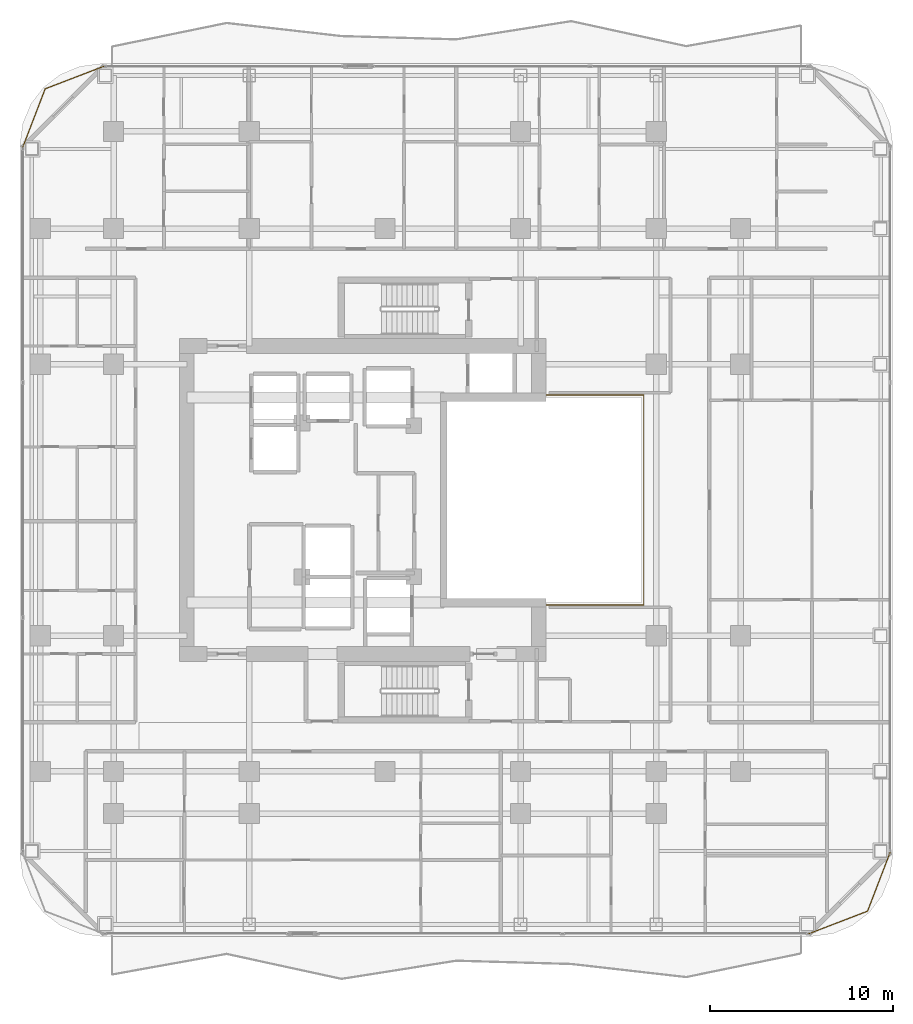
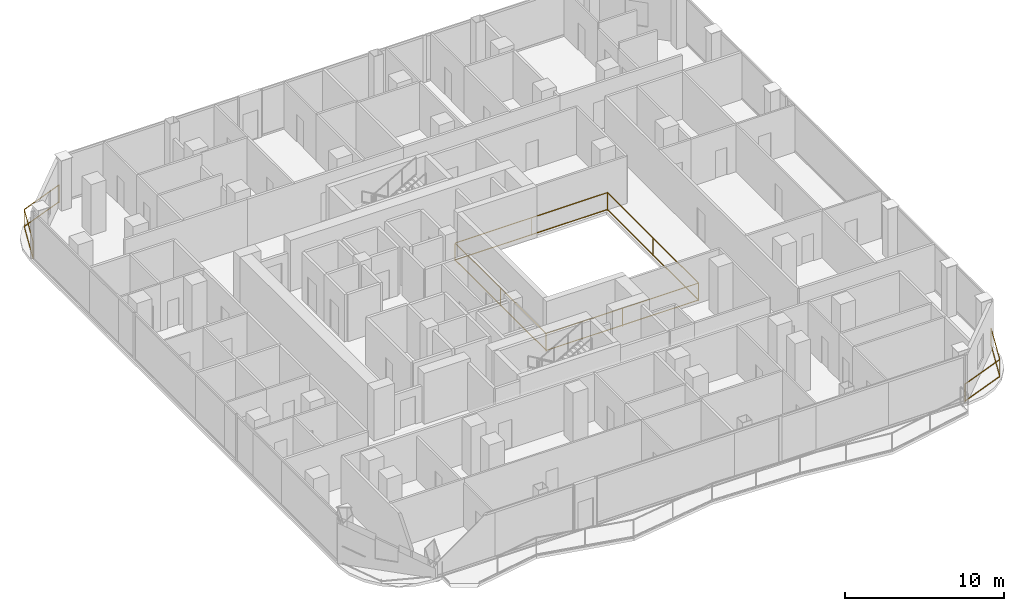
# One storey, part 26 of 27: 3 railings.
"""IFC4 building model written with IfcOpenShell, lengths in metres."""

from ifc_helpers import new_model, si_unit, direction, frame, origin, origin_2d, place, context, subcontext, project, spatial, rectangle, extrude, material, type_object, element, save


model = new_model("IFC4")

# Units and contexts
model_context = context("Model", 3, precision=1e-05, world=origin(), true_north=direction((0.0, 1.0)))
body_context = subcontext(model_context, "Body", "Model", "MODEL_VIEW")
ifc_project = project(units=[si_unit("LENGTHUNIT", "METRE"), si_unit("AREAUNIT", "SQUARE_METRE"), si_unit("VOLUMEUNIT", "CUBIC_METRE"), si_unit("PLANEANGLEUNIT", "RADIAN"), si_unit("MASSUNIT", "GRAM", prefix="KILO")], contexts=[model_context])

# Site, building, storey
site_placement = place(None, origin())
site = spatial("IfcSite", under=ifc_project, at=site_placement, CompositionType="ELEMENT")
building_placement = place(site_placement, origin())
building = spatial("IfcBuilding", under=site, at=building_placement, Name="Khorvyn Point Tower", CompositionType="ELEMENT")
storey_placement = place(building_placement, frame((0.0, 0.0, 164.10009765625)))
storey = spatial("IfcBuildingStorey", under=building, at=storey_placement, Name="L40", CompositionType="ELEMENT", Elevation=164.10009765625)

# Railings
ifc_material_1 = material(Name="Stainless steel 1.4401 and laminated glass", Category="steel")
railing_type_1 = type_object("IfcRailingType", Name="Crystal Atrium Smoke-Rated Perimeter Guardrail 1400", PredefinedType="GUARDRAIL", material=ifc_material_1)
railing_1_placement = place(storey_placement, frame((3.080078125, -5.719970703125, 0.0)))
element("IfcRailing", 1, at=railing_1_placement, inside=storey, type_object=railing_type_1, Name="L40 Crystal Atrium Perimeter Guardrail", PredefinedType="GUARDRAIL", context=body_context, shape_type="SweptSolid", body=[
    extrude(rectangle(XDim=0.048095703125, YDim=0.048095703125, at=origin_2d()), frame((0.0, 0.0, 1.3759765625), z_axis=(1.0, 0.0, 0.0), x_axis=(0.0, 1.0, 0.0)), (0.0, 0.0, 1.0), 11.0400390625),
    extrude(rectangle(XDim=0.048095703125, YDim=0.048095703125, at=origin_2d()), frame((0.0, 0.0, 0.080078125), z_axis=(1.0, 0.0, 0.0), x_axis=(0.0, 1.0, 0.0)), (0.0, 0.0, 1.0), 11.0400390625),
    extrude(rectangle(XDim=0.048095703125, YDim=0.048095703125, at=origin_2d()), frame((11.0400390625, 0.0, 1.3759765625), z_axis=(0.0, 1.0, 0.0), x_axis=(-1.0, 0.0, 0.0)), (0.0, 0.0, 1.0), 11.43994140625),
    extrude(rectangle(XDim=0.048095703125, YDim=0.048095703125, at=origin_2d()), frame((11.0400390625, 0.0, 0.080078125), z_axis=(0.0, 1.0, 0.0), x_axis=(-1.0, 0.0, 0.0)), (0.0, 0.0, 1.0), 11.43994140625),
    extrude(rectangle(XDim=0.048095703125, YDim=0.048095703125, at=origin_2d()), frame((11.0400390625, 11.43994140625, 1.3759765625), z_axis=(-1.0, 0.0, 0.0), x_axis=(0.0, -1.0, 0.0)), (0.0, 0.0, 1.0), 11.0400390625),
    extrude(rectangle(XDim=0.048095703125, YDim=0.048095703125, at=origin_2d()), frame((11.0400390625, 11.43994140625, 0.080078125), z_axis=(-1.0, 0.0, 0.0), x_axis=(0.0, -1.0, 0.0)), (0.0, 0.0, 1.0), 11.0400390625),
    extrude(rectangle(XDim=0.048095703125, YDim=0.048095703125, at=origin_2d()), frame((0.0, 11.43994140625, 1.3759765625), z_axis=(0.0, -1.0, 0.0), x_axis=(1.0, 0.0, 0.0)), (0.0, 0.0, 1.0), 11.409912109375),
    extrude(rectangle(XDim=0.048095703125, YDim=0.048095703125, at=origin_2d()), frame((0.0, 11.43994140625, 0.080078125), z_axis=(0.0, -1.0, 0.0), x_axis=(1.0, 0.0, 0.0)), (0.0, 0.0, 1.0), 11.409912109375),
    extrude(rectangle(XDim=0.0419921875, YDim=0.0419921875, at=origin_2d()), origin(), (0.0, 0.0, 1.0), 1.351806640625),
    extrude(rectangle(XDim=0.0419921875, YDim=0.0419921875, at=origin_2d()), frame((5.52001953125, 0.0, 0.0)), (0.0, 0.0, 1.0), 1.351806640625),
    extrude(rectangle(XDim=0.0419921875, YDim=0.0419921875, at=origin_2d()), frame((11.0400390625, 0.0, 0.0)), (0.0, 0.0, 1.0), 1.351806640625),
    extrude(rectangle(XDim=0.0419921875, YDim=0.0419921875, at=origin_2d()), frame((11.0400390625, 5.719970703125, 0.0)), (0.0, 0.0, 1.0), 1.351806640625),
    extrude(rectangle(XDim=0.0419921875, YDim=0.0419921875, at=origin_2d()), frame((11.0400390625, 11.43994140625, 0.0)), (0.0, 0.0, 1.0), 1.351806640625),
    extrude(rectangle(XDim=0.0419921875, YDim=0.0419921875, at=origin_2d()), frame((5.52001953125, 11.43994140625, 0.0)), (0.0, 0.0, 1.0), 1.351806640625),
    extrude(rectangle(XDim=0.0419921875, YDim=0.0419921875, at=origin_2d()), frame((0.0, 11.43994140625, 0.0)), (0.0, 0.0, 1.0), 1.351806640625),
    extrude(rectangle(XDim=0.0419921875, YDim=0.0419921875, at=origin_2d()), frame((0.0, 5.73486328125, 0.0)), (0.0, 0.0, 1.0), 1.351806640625),
    extrude(rectangle(XDim=0.0419921875, YDim=0.0419921875, at=origin_2d()), frame((0.0, 0.030029296875, 0.0)), (0.0, 0.0, 1.0), 1.351806640625),
])
ifc_material_2 = material(Name="Anodised aluminium 6063-T6 and laminated safety glass", Category="aluminium")
railing_type_2 = type_object("IfcRailingType", Name="Laminated Glass and Aluminium Balcony Guardrail 1400", PredefinedType="BALUSTRADE", material=ifc_material_2)
railing_2_placement = place(storey_placement, frame((-15.27587890625, 23.674072265625, 0.0)))
element("IfcRailing", 2, at=railing_2_placement, inside=storey, type_object=railing_type_2, Name="L40 Rounded Corner Edge Guardrail NW", PredefinedType="BALUSTRADE", context=body_context, shape_type="SweptSolid", body=[
    extrude(rectangle(XDim=0.048095703125, YDim=0.048095703125, at=origin_2d()), frame((0.0, 0.0, 1.3759765625), z_axis=(-0.933598390295, -0.358321148746, 0.0), x_axis=(0.358321148746, -0.933598390295, 0.0)), (0.0, 0.0, 1.0), 3.481689453125),
    extrude(rectangle(XDim=0.048095703125, YDim=0.048095703125, at=origin_2d()), frame((0.0, 0.0, 0.080078125), z_axis=(-0.933598390295, -0.358321148746, 0.0), x_axis=(0.358321148746, -0.933598390295, 0.0)), (0.0, 0.0, 1.0), 3.481689453125),
    extrude(rectangle(XDim=0.048095703125, YDim=0.048095703125, at=origin_2d()), frame((-3.25048828125, -1.24755859375, 1.3759765625), z_axis=(-0.358382264808, -0.933574931257, 0.0), x_axis=(0.933574931257, -0.358382264808, 0.0)), (0.0, 0.0, 1.0), 3.481689453125),
    extrude(rectangle(XDim=0.048095703125, YDim=0.048095703125, at=origin_2d()), frame((-3.25048828125, -1.24755859375, 0.080078125), z_axis=(-0.358382264808, -0.933574931257, 0.0), x_axis=(0.933574931257, -0.358382264808, 0.0)), (0.0, 0.0, 1.0), 3.481689453125),
    extrude(rectangle(XDim=0.0419921875, YDim=0.0419921875, at=origin_2d()), origin(), (0.0, 0.0, 1.0), 1.351806640625),
    extrude(rectangle(XDim=0.0419921875, YDim=0.0419921875, at=origin_2d()), frame((-3.25048828125, -1.24755859375, 0.0)), (0.0, 0.0, 1.0), 1.351806640625),
    extrude(rectangle(XDim=0.0419921875, YDim=0.0419921875, at=origin_2d()), frame((-4.498291015625, -4.498046875, 0.0)), (0.0, 0.0, 1.0), 1.351806640625),
])
railing_3_placement = place(storey_placement, frame((23.075927734375, -23.674072265625, 0.0)))
element("IfcRailing", 3, at=railing_3_placement, inside=storey, type_object=railing_type_2, Name="L40 Rounded Corner Edge Guardrail SE", PredefinedType="BALUSTRADE", context=body_context, shape_type="SweptSolid", body=[
    extrude(rectangle(XDim=0.048095703125, YDim=0.048095703125, at=origin_2d()), frame((0.0, 0.0, 1.3759765625), z_axis=(0.933598390295, 0.358321148746, 0.0), x_axis=(-0.358321148746, 0.933598390295, 0.0)), (0.0, 0.0, 1.0), 3.481689453125),
    extrude(rectangle(XDim=0.048095703125, YDim=0.048095703125, at=origin_2d()), frame((0.0, 0.0, 0.080078125), z_axis=(0.933598390295, 0.358321148746, 0.0), x_axis=(-0.358321148746, 0.933598390295, 0.0)), (0.0, 0.0, 1.0), 3.481689453125),
    extrude(rectangle(XDim=0.048095703125, YDim=0.048095703125, at=origin_2d()), frame((3.25048828125, 1.24755859375, 1.3759765625), z_axis=(0.358382264808, 0.933574931257, 0.0), x_axis=(-0.933574931257, 0.358382264808, 0.0)), (0.0, 0.0, 1.0), 3.481689453125),
    extrude(rectangle(XDim=0.048095703125, YDim=0.048095703125, at=origin_2d()), frame((3.25048828125, 1.24755859375, 0.080078125), z_axis=(0.358382264808, 0.933574931257, 0.0), x_axis=(-0.933574931257, 0.358382264808, 0.0)), (0.0, 0.0, 1.0), 3.481689453125),
    extrude(rectangle(XDim=0.0419921875, YDim=0.0419921875, at=origin_2d()), origin(), (0.0, 0.0, 1.0), 1.351806640625),
    extrude(rectangle(XDim=0.0419921875, YDim=0.0419921875, at=origin_2d()), frame((3.25048828125, 1.24755859375, 0.0)), (0.0, 0.0, 1.0), 1.351806640625),
    extrude(rectangle(XDim=0.0419921875, YDim=0.0419921875, at=origin_2d()), frame((4.498291015625, 4.498046875, 0.0)), (0.0, 0.0, 1.0), 1.351806640625),
])

save(model, "model.ifc")
